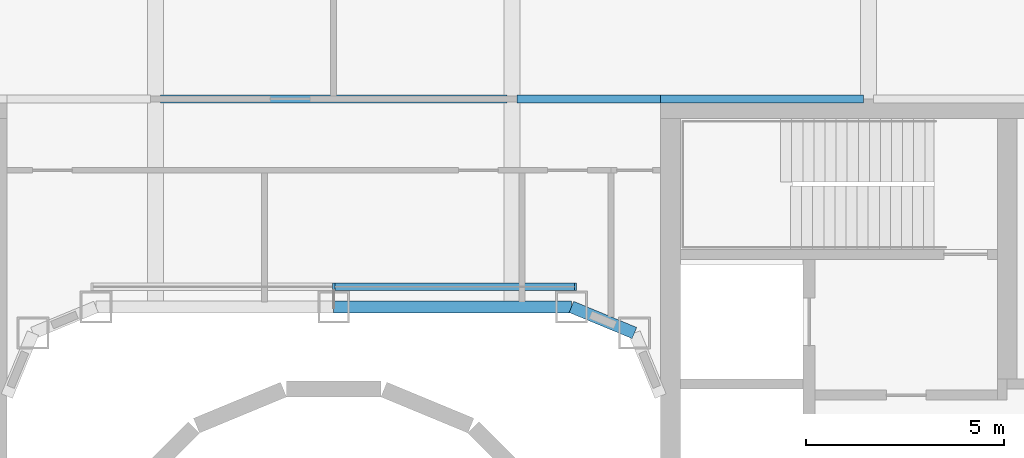
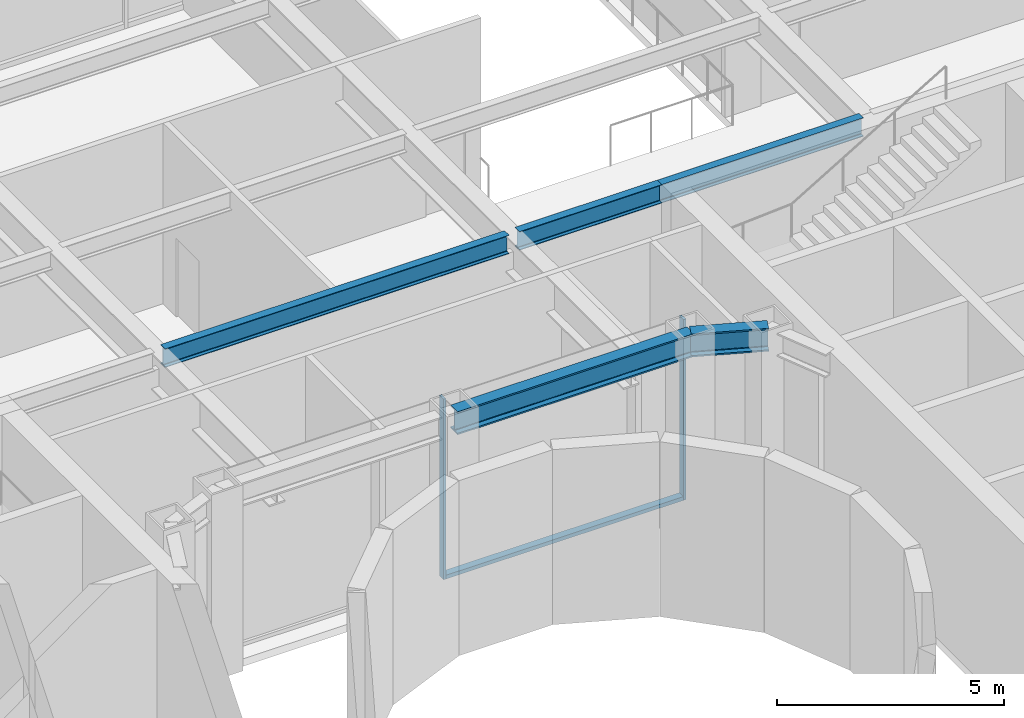
# One storey, part 8 of 24: 5 beams, 3 members, 1 element without a shape of its own.
"""IFC4 building model written with IfcOpenShell, lengths in metres."""

from ifc_helpers import new_model, si_unit, direction, frame, origin, origin_2d, place, context, subcontext, project, spatial, rectangle, i_section, extrude, material, layer, layer_set, material_profile, profile_set, type_object, element, aggregate, save


model = new_model("IFC4")

# Units and contexts
model_context = context("Model", 3, precision=1e-05, world=origin(), true_north=direction((0.0, 1.0)))
body_context = subcontext(model_context, "Body", "Model", "MODEL_VIEW")
ifc_project = project(units=[si_unit("LENGTHUNIT", "METRE"), si_unit("AREAUNIT", "SQUARE_METRE"), si_unit("VOLUMEUNIT", "CUBIC_METRE"), si_unit("PLANEANGLEUNIT", "RADIAN"), si_unit("MASSUNIT", "GRAM", prefix="KILO")], contexts=[model_context])

# Site, building, storey
site_placement = place(None, origin())
site = spatial("IfcSite", under=ifc_project, at=site_placement, CompositionType="ELEMENT")
building_placement = place(site_placement, origin())
building = spatial("IfcBuilding", under=site, at=building_placement, Name="Siwar Civic Tower", CompositionType="ELEMENT")
storey_placement = place(building_placement, frame((0.0, 0.0, 12.199951171875)))
storey = spatial("IfcBuildingStorey", under=building, at=storey_placement, Name="L02", CompositionType="ELEMENT", Elevation=12.199951171875)

# Curtain wall, members
ifc_material_1 = material(Name="Aluminium and glass", Category="aluminium")
ifc_layer = layer(ifc_material_1, 0.179931640625)
ifc_layer_set = layer_set([ifc_layer], Name="Aluminium and glass")
curtain_wall_type = type_object("IfcCurtainWallType", Name="ENV-CW-W", PredefinedType="NOTDEFINED", material=ifc_layer_set)
curtain_wall_placement = place(storey_placement, origin())
curtain_wall = element("IfcCurtainWall", 1, at=curtain_wall_placement, inside=storey, type_object=curtain_wall_type, Name="Curtain wall W WN", PredefinedType="NOTDEFINED")
ifc_material_2 = material(Name="Aluminium 6063-T6", Category="aluminium")
ifc_material_profile_1 = material_profile(ifc_material_2, rectangle(XDim=0.179931640625, YDim=0.06005859375, at=origin_2d()), Name="AL 180x60")
ifc_profile_set_1 = profile_set([ifc_material_profile_1], Name="Aluminium 6063-T6")
member_type_1 = type_object("IfcMemberType", Name="ENV-MULLION-W", PredefinedType="MULLION", material=ifc_profile_set_1)
member_1_placement = place(storey_placement, frame((6.1015625, 8.760009765625, 0.0), z_axis=(0.0, 0.0, 1.0), x_axis=(0.0, -1.0, 0.0)))
member_1 = element("IfcMember", 2, at=member_1_placement, type_object=member_type_1, Name="Mullion W WN 1", PredefinedType="MULLION", context=body_context, shape_type="SweptSolid", body=[
    extrude(rectangle(XDim=0.179931640625, YDim=0.06005859375, at=origin_2d()), origin(), (0.0, 0.0, 1.0), 4.85009765625),
])
member_2_placement = place(storey_placement, frame((0.0, 8.760009765625, 0.0), z_axis=(0.0, 0.0, 1.0), x_axis=(0.0, -1.0, 0.0)))
member_2 = element("IfcMember", 3, at=member_2_placement, type_object=member_type_1, Name="Mullion W WN 2", PredefinedType="MULLION", context=body_context, shape_type="SweptSolid", body=[
    extrude(rectangle(XDim=0.179931640625, YDim=0.06005859375, at=origin_2d()), origin(), (0.0, 0.0, 1.0), 4.85009765625),
])
ifc_material_3 = material(Name="Aluminium 6063-T6", Category="aluminium")
ifc_material_profile_2 = material_profile(ifc_material_3, rectangle(XDim=0.179931640625, YDim=0.10009765625, at=origin_2d()), Name="AL 180x100")
ifc_profile_set_2 = profile_set([ifc_material_profile_2], Name="Aluminium 6063-T6")
member_type_2 = type_object("IfcMemberType", Name="ENV-TRANSOM-W", PredefinedType="USERDEFINED", material=ifc_profile_set_2)
member_3_placement = place(storey_placement, frame((6.071533203125, 8.760009765625, 0.050048828125), z_axis=(-1.0, 0.0, 0.0), x_axis=(0.0, -1.0, 0.0)))
member_3 = element("IfcMember", 4, at=member_3_placement, type_object=member_type_2, Name="Transom W WN 1", ObjectType="TRANSOM", PredefinedType="USERDEFINED", context=body_context, shape_type="SweptSolid", body=[
    extrude(rectangle(XDim=0.179931640625, YDim=0.10009765625, at=origin_2d()), origin(), (0.0, 0.0, 1.0), 6.04150390625),
])
aggregate(curtain_wall, [member_1, member_2, member_3])

# Beams
ifc_material_4 = material(Name="Steel S355", Category="steel")
ifc_material_profile_3 = material_profile(ifc_material_4, i_section(OverallWidth=0.199951171875, OverallDepth=0.5, WebThickness=0.01025390625, FlangeThickness=0.01611328125, FilletRadius=0.02099609375, at=origin_2d()), Name="IPE500")
ifc_profile_set_3 = profile_set([ifc_material_profile_3], Name="Steel S355")
beam_type_1 = type_object("IfcBeamType", Name="STR-FB-IPE500", PredefinedType="JOIST", material=ifc_profile_set_3)
beam_1_placement = place(storey_placement, frame((-4.3701171875, 13.5, 4.60009765625), z_axis=(1.0, 0.0, 0.0), x_axis=(0.0, 1.0, 0.0)))
element("IfcBeam", 5, at=beam_1_placement, inside=storey, type_object=beam_type_1, Name="L02/bm/F039", PredefinedType="JOIST", context=body_context, shape_type="SweptSolid", body=[
    extrude(i_section(OverallWidth=0.199951171875, OverallDepth=0.5, WebThickness=0.01025390625, FlangeThickness=0.01611328125, FilletRadius=0.02099609375, at=origin_2d()), origin(), (0.0, 0.0, 1.0), 8.740234375),
])
beam_2_placement = place(storey_placement, frame((4.6298828125, 13.5, 4.60009765625), z_axis=(1.0, 0.0, 0.0), x_axis=(0.0, 1.0, 0.0)))
element("IfcBeam", 6, at=beam_2_placement, inside=storey, type_object=beam_type_1, Name="L02/bm/F040", PredefinedType="JOIST", context=body_context, shape_type="SweptSolid", body=[
    extrude(i_section(OverallWidth=0.199951171875, OverallDepth=0.5, WebThickness=0.01025390625, FlangeThickness=0.01611328125, FilletRadius=0.02099609375, at=origin_2d()), origin(), (0.0, 0.0, 1.0), 3.6201171875),
])
beam_3_placement = place(storey_placement, frame((8.25, 13.5, 4.60009765625), z_axis=(1.0, 0.0, 0.0), x_axis=(0.0, 1.0, 0.0)))
element("IfcBeam", 7, at=beam_3_placement, inside=storey, type_object=beam_type_1, Name="L02/bm/F041", PredefinedType="JOIST", context=body_context, shape_type="SweptSolid", body=[
    extrude(i_section(OverallWidth=0.199951171875, OverallDepth=0.5, WebThickness=0.01025390625, FlangeThickness=0.01611328125, FilletRadius=0.02099609375, at=origin_2d()), origin(), (0.0, 0.0, 1.0), 5.1201171875),
])
ifc_material_5 = material(Name="Steel S355", Category="steel")
ifc_material_profile_4 = material_profile(ifc_material_5, i_section(OverallWidth=0.304931640625, OverallDepth=0.6201171875, WebThickness=0.02099609375, FlangeThickness=0.0400390625, FilletRadius=0.027099609375, at=origin_2d()), Name="HEM600")
ifc_profile_set_4 = profile_set([ifc_material_profile_4], Name="Steel S355")
beam_type_2 = type_object("IfcBeamType", Name="STR-RB-HEM600", PredefinedType="BEAM", material=ifc_profile_set_4)
beam_4_placement = place(storey_placement, frame((0.0, 8.25, 4.5400390625), z_axis=(1.0, 0.0, 0.0), x_axis=(0.0, 1.0, 0.0)))
element("IfcBeam", 8, at=beam_4_placement, inside=storey, type_object=beam_type_2, Name="L02/bm/RN2", PredefinedType="BEAM", context=body_context, shape_type="SweptSolid", body=[
    extrude(i_section(OverallWidth=0.304931640625, OverallDepth=0.6201171875, WebThickness=0.02099609375, FlangeThickness=0.0400390625, FilletRadius=0.027099609375, at=origin_2d()), origin(), (0.0, 0.0, 1.0), 6.0),
])
beam_5_placement = place(storey_placement, frame((6.0, 8.25, 4.5400390625), z_axis=(0.923901072997, -0.382631424892, 0.0), x_axis=(0.382631424892, 0.923901072997, 0.0)))
element("IfcBeam", 9, at=beam_5_placement, inside=storey, type_object=beam_type_2, Name="L02/bm/RN3", PredefinedType="BEAM", context=body_context, shape_type="SweptSolid", body=[
    extrude(i_section(OverallWidth=0.304931640625, OverallDepth=0.6201171875, WebThickness=0.02099609375, FlangeThickness=0.0400390625, FilletRadius=0.027099609375, at=origin_2d()), origin(), (0.0, 0.0, 1.0), 1.72216796875),
])

save(model, "model.ifc")
